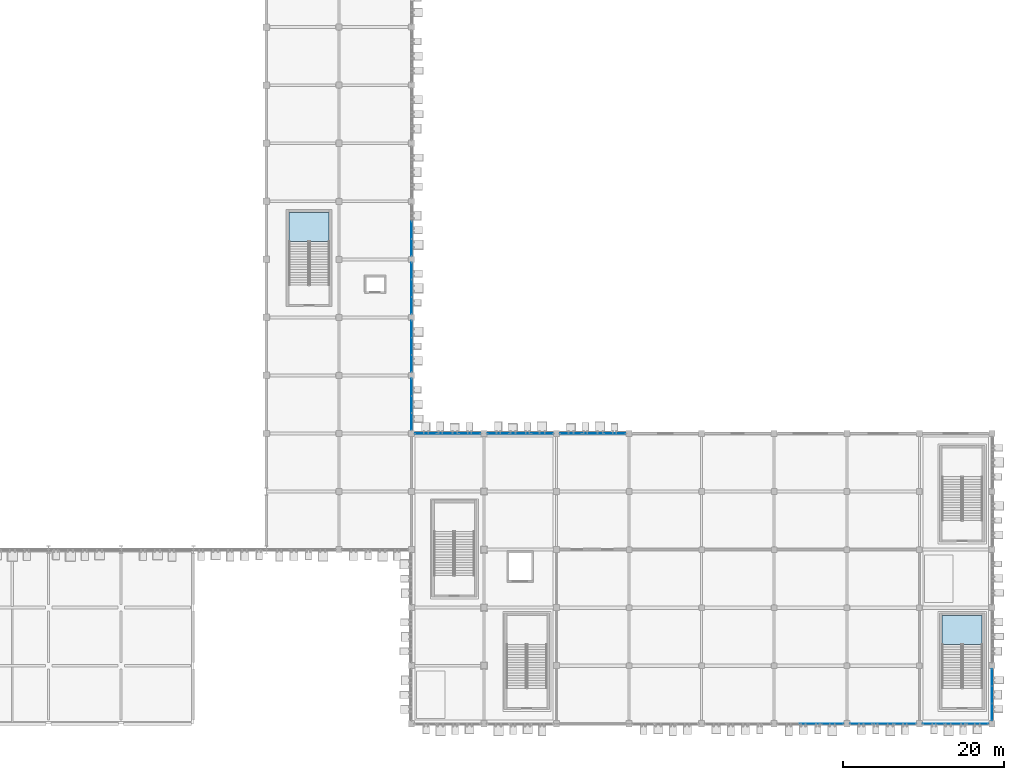
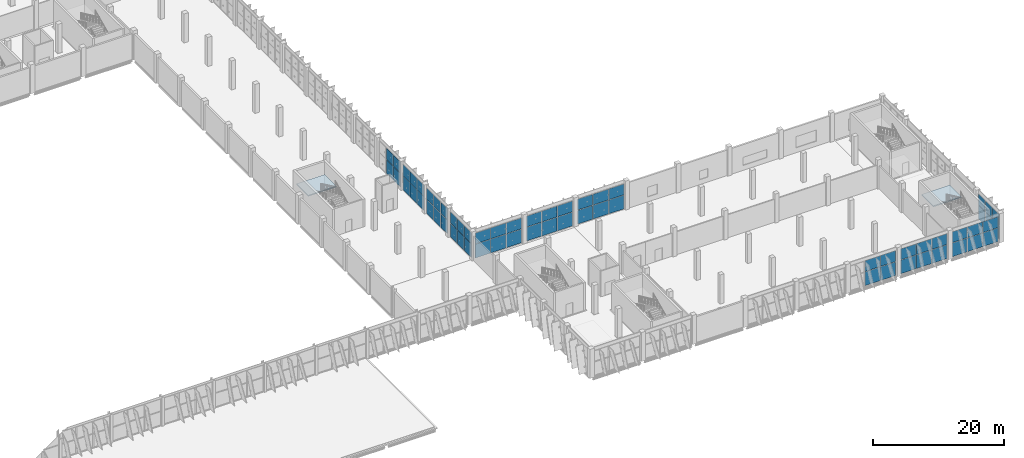
# One storey, part 116 of 189: 62 plates, 2 slabs, 13 elements without a shape of their own.
"""IFC4 building model written with IfcOpenShell, lengths in metres."""

from ifc_helpers import new_model, si_unit, direction, frame, origin, origin_2d, place, context, subcontext, project, spatial, polyline, rectangle, outline, extrude, material, layer, layer_set, type_object, element, aggregate, save


model = new_model("IFC4")

# Units and contexts
model_context = context("Model", 3, precision=1e-05, world=origin(), true_north=direction((0.0, 1.0)))
body_context = subcontext(model_context, "Body", "Model", "MODEL_VIEW")
ifc_project = project(units=[si_unit("LENGTHUNIT", "METRE"), si_unit("AREAUNIT", "SQUARE_METRE"), si_unit("VOLUMEUNIT", "CUBIC_METRE"), si_unit("PLANEANGLEUNIT", "RADIAN"), si_unit("MASSUNIT", "GRAM", prefix="KILO")], contexts=[model_context])

# Site, building, storey
site_placement = place(None, origin())
site = spatial("IfcSite", under=ifc_project, at=site_placement, CompositionType="ELEMENT")
building_placement = place(site_placement, origin())
building = spatial("IfcBuilding", under=site, at=building_placement, Name="Celestram Park Convention Centre", CompositionType="ELEMENT")
storey_placement = place(building_placement, frame((0.0, 0.0, 5.39990234375)))
storey = spatial("IfcBuildingStorey", under=building, at=storey_placement, Name="L01", CompositionType="ELEMENT", Elevation=5.39990234375)

# Curtain wall, plates
ifc_material_1 = material(Name="Anodised Aluminium Alloy 6063-T6", Category="aluminium")
ifc_layer_1 = layer(ifc_material_1, 0.179931640625)
ifc_layer_set_1 = layer_set([ifc_layer_1], Name="Anodised Aluminium Alloy 6063-T6")
curtain_wall_type_1 = type_object("IfcCurtainWallType", Name="ARC-CW-645X482", PredefinedType="NOTDEFINED", material=ifc_layer_set_1)
curtain_wall_1_placement = place(storey_placement, origin())
curtain_wall_1 = element("IfcCurtainWall", 1, at=curtain_wall_1_placement, inside=storey, type_object=curtain_wall_type_1, Name="Unitised curtain wall CU-L01-094", PredefinedType="NOTDEFINED")
ifc_material_2 = material(Name="Insulated Glazing Unit 28 mm", Category="glass")
ifc_layer_2 = layer(ifc_material_2, 0.028076171875)
ifc_layer_set_2 = layer_set([ifc_layer_2], Name="Insulated Glazing Unit 28 mm")
plate_type_1 = type_object("IfcPlateType", Name="ARC-CWP-IGU28", PredefinedType="CURTAIN_PANEL", material=ifc_layer_set_2)
plate_1_placement = place(storey_placement, frame((144.0, 61.199951171875, 0.06005859375), z_axis=(0.0, 0.0, 1.0), x_axis=(0.0, -1.0, 0.0)))
plate_1 = element("IfcPlate", 2, at=plate_1_placement, type_object=plate_type_1, Name="CW-64X48 panel 2.1", PredefinedType="CURTAIN_PANEL", context=body_context, shape_type="SweptSolid", body=[
    extrude(rectangle(XDim=2.08642578125, YDim=0.028076171875, at=origin_2d()), origin(), (0.0, 0.0, 1.0), 2.56005859375),
])
plate_2_placement = place(storey_placement, frame((144.0, 61.199951171875, 2.68017578125), z_axis=(0.0, 0.0, 1.0), x_axis=(0.0, -1.0, 0.0)))
plate_2 = element("IfcPlate", 3, at=plate_2_placement, type_object=plate_type_1, Name="CW-64X48 panel 2.2", PredefinedType="CURTAIN_PANEL", context=body_context, shape_type="SweptSolid", body=[
    extrude(rectangle(XDim=2.08642578125, YDim=0.028076171875, at=origin_2d()), origin(), (0.0, 0.0, 1.0), 2.080078125),
])
plate_3_placement = place(storey_placement, frame((144.0, 59.06494140625, 0.06005859375), z_axis=(0.0, 0.0, 1.0), x_axis=(0.0, -1.0, 0.0)))
plate_3 = element("IfcPlate", 4, at=plate_3_placement, type_object=plate_type_1, Name="CW-64X48 panel 3.1", PredefinedType="CURTAIN_PANEL", context=body_context, shape_type="SweptSolid", body=[
    extrude(rectangle(XDim=2.053955078125, YDim=0.028076171875, at=origin_2d()), origin(), (0.0, 0.0, 1.0), 2.56005859375),
])
plate_4_placement = place(storey_placement, frame((144.0, 59.06494140625, 2.68017578125), z_axis=(0.0, 0.0, 1.0), x_axis=(0.0, -1.0, 0.0)))
plate_4 = element("IfcPlate", 5, at=plate_4_placement, type_object=plate_type_1, Name="CW-64X48 panel 3.2", PredefinedType="CURTAIN_PANEL", context=body_context, shape_type="SweptSolid", body=[
    extrude(rectangle(XDim=2.053955078125, YDim=0.028076171875, at=origin_2d()), origin(), (0.0, 0.0, 1.0), 2.080078125),
])
aggregate(curtain_wall_1, [plate_1, plate_2, plate_3, plate_4])

curtain_wall_2_placement = place(storey_placement, origin())
curtain_wall_2 = element("IfcCurtainWall", 6, at=curtain_wall_2_placement, inside=storey, type_object=curtain_wall_type_1, Name="Unitised curtain wall CU-L01-095", PredefinedType="NOTDEFINED")
plate_5_placement = place(storey_placement, frame((144.0, 56.135009765625, 0.06005859375), z_axis=(0.0, 0.0, 1.0), x_axis=(0.0, -1.0, 0.0)))
plate_5 = element("IfcPlate", 7, at=plate_5_placement, type_object=plate_type_1, Name="CW-64X48 panel 1.1", PredefinedType="CURTAIN_PANEL", context=body_context, shape_type="SweptSolid", body=[
    extrude(rectangle(XDim=2.053955078125, YDim=0.028076171875, at=origin_2d()), origin(), (0.0, 0.0, 1.0), 2.56005859375),
])
plate_6_placement = place(storey_placement, frame((144.0, 56.135009765625, 2.68017578125), z_axis=(0.0, 0.0, 1.0), x_axis=(0.0, -1.0, 0.0)))
plate_6 = element("IfcPlate", 8, at=plate_6_placement, type_object=plate_type_1, Name="CW-64X48 panel 1.2", PredefinedType="CURTAIN_PANEL", context=body_context, shape_type="SweptSolid", body=[
    extrude(rectangle(XDim=2.053955078125, YDim=0.028076171875, at=origin_2d()), origin(), (0.0, 0.0, 1.0), 2.080078125),
])
plate_7_placement = place(storey_placement, frame((144.0, 54.0, 0.06005859375), z_axis=(0.0, 0.0, 1.0), x_axis=(0.0, -1.0, 0.0)))
plate_7 = element("IfcPlate", 9, at=plate_7_placement, type_object=plate_type_1, Name="CW-64X48 panel 2.1", PredefinedType="CURTAIN_PANEL", context=body_context, shape_type="SweptSolid", body=[
    extrude(rectangle(XDim=2.08642578125, YDim=0.028076171875, at=origin_2d()), origin(), (0.0, 0.0, 1.0), 2.56005859375),
])
plate_8_placement = place(storey_placement, frame((144.0, 54.0, 2.68017578125), z_axis=(0.0, 0.0, 1.0), x_axis=(0.0, -1.0, 0.0)))
plate_8 = element("IfcPlate", 10, at=plate_8_placement, type_object=plate_type_1, Name="CW-64X48 panel 2.2", PredefinedType="CURTAIN_PANEL", context=body_context, shape_type="SweptSolid", body=[
    extrude(rectangle(XDim=2.08642578125, YDim=0.028076171875, at=origin_2d()), origin(), (0.0, 0.0, 1.0), 2.080078125),
])
plate_9_placement = place(storey_placement, frame((144.0, 51.864990234375, 0.06005859375), z_axis=(0.0, 0.0, 1.0), x_axis=(0.0, -1.0, 0.0)))
plate_9 = element("IfcPlate", 11, at=plate_9_placement, type_object=plate_type_1, Name="CW-64X48 panel 3.1", PredefinedType="CURTAIN_PANEL", context=body_context, shape_type="SweptSolid", body=[
    extrude(rectangle(XDim=2.053955078125, YDim=0.028076171875, at=origin_2d()), origin(), (0.0, 0.0, 1.0), 2.56005859375),
])
plate_10_placement = place(storey_placement, frame((144.0, 51.864990234375, 2.68017578125), z_axis=(0.0, 0.0, 1.0), x_axis=(0.0, -1.0, 0.0)))
plate_10 = element("IfcPlate", 12, at=plate_10_placement, type_object=plate_type_1, Name="CW-64X48 panel 3.2", PredefinedType="CURTAIN_PANEL", context=body_context, shape_type="SweptSolid", body=[
    extrude(rectangle(XDim=2.053955078125, YDim=0.028076171875, at=origin_2d()), origin(), (0.0, 0.0, 1.0), 2.080078125),
])
aggregate(curtain_wall_2, [plate_5, plate_6, plate_7, plate_8, plate_9, plate_10])

curtain_wall_3_placement = place(storey_placement, origin())
curtain_wall_3 = element("IfcCurtainWall", 13, at=curtain_wall_3_placement, inside=storey, type_object=curtain_wall_type_1, Name="Unitised curtain wall CU-L01-096", PredefinedType="NOTDEFINED")
plate_11_placement = place(storey_placement, frame((144.0, 48.93505859375, 0.06005859375), z_axis=(0.0, 0.0, 1.0), x_axis=(0.0, -1.0, 0.0)))
plate_11 = element("IfcPlate", 14, at=plate_11_placement, type_object=plate_type_1, Name="CW-64X48 panel 1.1", PredefinedType="CURTAIN_PANEL", context=body_context, shape_type="SweptSolid", body=[
    extrude(rectangle(XDim=2.053955078125, YDim=0.028076171875, at=origin_2d()), origin(), (0.0, 0.0, 1.0), 2.56005859375),
])
plate_12_placement = place(storey_placement, frame((144.0, 48.93505859375, 2.68017578125), z_axis=(0.0, 0.0, 1.0), x_axis=(0.0, -1.0, 0.0)))
plate_12 = element("IfcPlate", 15, at=plate_12_placement, type_object=plate_type_1, Name="CW-64X48 panel 1.2", PredefinedType="CURTAIN_PANEL", context=body_context, shape_type="SweptSolid", body=[
    extrude(rectangle(XDim=2.053955078125, YDim=0.028076171875, at=origin_2d()), origin(), (0.0, 0.0, 1.0), 2.080078125),
])
plate_13_placement = place(storey_placement, frame((144.0, 46.800048828125, 0.06005859375), z_axis=(0.0, 0.0, 1.0), x_axis=(0.0, -1.0, 0.0)))
plate_13 = element("IfcPlate", 16, at=plate_13_placement, type_object=plate_type_1, Name="CW-64X48 panel 2.1", PredefinedType="CURTAIN_PANEL", context=body_context, shape_type="SweptSolid", body=[
    extrude(rectangle(XDim=2.08642578125, YDim=0.028076171875, at=origin_2d()), origin(), (0.0, 0.0, 1.0), 2.56005859375),
])
plate_14_placement = place(storey_placement, frame((144.0, 46.800048828125, 2.68017578125), z_axis=(0.0, 0.0, 1.0), x_axis=(0.0, -1.0, 0.0)))
plate_14 = element("IfcPlate", 17, at=plate_14_placement, type_object=plate_type_1, Name="CW-64X48 panel 2.2", PredefinedType="CURTAIN_PANEL", context=body_context, shape_type="SweptSolid", body=[
    extrude(rectangle(XDim=2.08642578125, YDim=0.028076171875, at=origin_2d()), origin(), (0.0, 0.0, 1.0), 2.080078125),
])
plate_15_placement = place(storey_placement, frame((144.0, 44.664794921875, 0.06005859375), z_axis=(0.0, 0.0, 1.0), x_axis=(0.0, -1.0, 0.0)))
plate_15 = element("IfcPlate", 18, at=plate_15_placement, type_object=plate_type_1, Name="CW-64X48 panel 3.1", PredefinedType="CURTAIN_PANEL", context=body_context, shape_type="SweptSolid", body=[
    extrude(rectangle(XDim=2.053955078125, YDim=0.028076171875, at=origin_2d()), origin(), (0.0, 0.0, 1.0), 2.56005859375),
])
plate_16_placement = place(storey_placement, frame((144.0, 44.664794921875, 2.68017578125), z_axis=(0.0, 0.0, 1.0), x_axis=(0.0, -1.0, 0.0)))
plate_16 = element("IfcPlate", 19, at=plate_16_placement, type_object=plate_type_1, Name="CW-64X48 panel 3.2", PredefinedType="CURTAIN_PANEL", context=body_context, shape_type="SweptSolid", body=[
    extrude(rectangle(XDim=2.053955078125, YDim=0.028076171875, at=origin_2d()), origin(), (0.0, 0.0, 1.0), 2.080078125),
])
aggregate(curtain_wall_3, [plate_11, plate_12, plate_13, plate_14, plate_15, plate_16])

ifc_layer_3 = layer(ifc_material_1, 0.179931640625)
ifc_layer_set_3 = layer_set([ifc_layer_3], Name="Anodised Aluminium Alloy 6063-T6")
curtain_wall_type_2 = type_object("IfcCurtainWallType", Name="ARC-CW-645X476", PredefinedType="NOTDEFINED", material=ifc_layer_set_3)
curtain_wall_4_placement = place(storey_placement, origin())
curtain_wall_4 = element("IfcCurtainWall", 20, at=curtain_wall_4_placement, inside=storey, type_object=curtain_wall_type_2, Name="Unitised curtain wall CU-L01-097", PredefinedType="NOTDEFINED")
plate_17_placement = place(storey_placement, frame((144.0, 41.735107421875, 0.06005859375), z_axis=(0.0, 0.0, 1.0), x_axis=(0.0, -1.0, 0.0)))
plate_17 = element("IfcPlate", 21, at=plate_17_placement, type_object=plate_type_1, Name="CW-64X47 panel 1.1", PredefinedType="CURTAIN_PANEL", context=body_context, shape_type="SweptSolid", body=[
    extrude(rectangle(XDim=2.053955078125, YDim=0.028076171875, at=origin_2d()), origin(), (0.0, 0.0, 1.0), 2.56005859375),
])
plate_18_placement = place(storey_placement, frame((144.0, 41.735107421875, 2.68017578125), z_axis=(0.0, 0.0, 1.0), x_axis=(0.0, -1.0, 0.0)))
plate_18 = element("IfcPlate", 22, at=plate_18_placement, type_object=plate_type_1, Name="CW-64X47 panel 1.2", PredefinedType="CURTAIN_PANEL", context=body_context, shape_type="SweptSolid", body=[
    extrude(rectangle(XDim=2.053955078125, YDim=0.028076171875, at=origin_2d()), origin(), (0.0, 0.0, 1.0), 2.02392578125),
])
plate_19_placement = place(storey_placement, frame((144.0, 39.60009765625, 0.06005859375), z_axis=(0.0, 0.0, 1.0), x_axis=(0.0, -1.0, 0.0)))
plate_19 = element("IfcPlate", 23, at=plate_19_placement, type_object=plate_type_1, Name="CW-64X47 panel 2.1", PredefinedType="CURTAIN_PANEL", context=body_context, shape_type="SweptSolid", body=[
    extrude(rectangle(XDim=2.08642578125, YDim=0.028076171875, at=origin_2d()), origin(), (0.0, 0.0, 1.0), 2.56005859375),
])
plate_20_placement = place(storey_placement, frame((144.0, 39.60009765625, 2.68017578125), z_axis=(0.0, 0.0, 1.0), x_axis=(0.0, -1.0, 0.0)))
plate_20 = element("IfcPlate", 24, at=plate_20_placement, type_object=plate_type_1, Name="CW-64X47 panel 2.2", PredefinedType="CURTAIN_PANEL", context=body_context, shape_type="SweptSolid", body=[
    extrude(rectangle(XDim=2.08642578125, YDim=0.028076171875, at=origin_2d()), origin(), (0.0, 0.0, 1.0), 2.02392578125),
])
plate_21_placement = place(storey_placement, frame((144.0, 37.46484375, 0.06005859375), z_axis=(0.0, 0.0, 1.0), x_axis=(0.0, -1.0, 0.0)))
plate_21 = element("IfcPlate", 25, at=plate_21_placement, type_object=plate_type_1, Name="CW-64X47 panel 3.1", PredefinedType="CURTAIN_PANEL", context=body_context, shape_type="SweptSolid", body=[
    extrude(rectangle(XDim=2.053955078125, YDim=0.028076171875, at=origin_2d()), origin(), (0.0, 0.0, 1.0), 2.56005859375),
])
plate_22_placement = place(storey_placement, frame((144.0, 37.46484375, 2.68017578125), z_axis=(0.0, 0.0, 1.0), x_axis=(0.0, -1.0, 0.0)))
plate_22 = element("IfcPlate", 26, at=plate_22_placement, type_object=plate_type_1, Name="CW-64X47 panel 3.2", PredefinedType="CURTAIN_PANEL", context=body_context, shape_type="SweptSolid", body=[
    extrude(rectangle(XDim=2.053955078125, YDim=0.028076171875, at=origin_2d()), origin(), (0.0, 0.0, 1.0), 2.02392578125),
])
aggregate(curtain_wall_4, [plate_17, plate_18, plate_19, plate_20, plate_21, plate_22])

curtain_wall_5_placement = place(storey_placement, origin())
curtain_wall_5 = element("IfcCurtainWall", 27, at=curtain_wall_5_placement, inside=storey, type_object=curtain_wall_type_2, Name="Unitised curtain wall CU-L01-105", PredefinedType="NOTDEFINED")
plate_23_placement = place(storey_placement, frame((216.0, 5.735107421875, 0.06005859375), z_axis=(0.0, 0.0, 1.0), x_axis=(0.0, -1.0, 0.0)))
plate_23 = element("IfcPlate", 28, at=plate_23_placement, type_object=plate_type_1, Name="CW-64X47 panel 1.1", PredefinedType="CURTAIN_PANEL", context=body_context, shape_type="SweptSolid", body=[
    extrude(rectangle(XDim=2.053955078125, YDim=0.028076171875, at=origin_2d()), origin(), (0.0, 0.0, 1.0), 2.56005859375),
])
plate_24_placement = place(storey_placement, frame((216.0, 5.735107421875, 2.68017578125), z_axis=(0.0, 0.0, 1.0), x_axis=(0.0, -1.0, 0.0)))
plate_24 = element("IfcPlate", 29, at=plate_24_placement, type_object=plate_type_1, Name="CW-64X47 panel 1.2", PredefinedType="CURTAIN_PANEL", context=body_context, shape_type="SweptSolid", body=[
    extrude(rectangle(XDim=2.053955078125, YDim=0.028076171875, at=origin_2d()), origin(), (0.0, 0.0, 1.0), 2.02392578125),
])
plate_25_placement = place(storey_placement, frame((216.0, 3.60009765625, 0.06005859375), z_axis=(0.0, 0.0, 1.0), x_axis=(0.0, -1.0, 0.0)))
plate_25 = element("IfcPlate", 30, at=plate_25_placement, type_object=plate_type_1, Name="CW-64X47 panel 2.1", PredefinedType="CURTAIN_PANEL", context=body_context, shape_type="SweptSolid", body=[
    extrude(rectangle(XDim=2.08642578125, YDim=0.028076171875, at=origin_2d()), origin(), (0.0, 0.0, 1.0), 2.56005859375),
])
plate_26_placement = place(storey_placement, frame((216.0, 3.60009765625, 2.68017578125), z_axis=(0.0, 0.0, 1.0), x_axis=(0.0, -1.0, 0.0)))
plate_26 = element("IfcPlate", 31, at=plate_26_placement, type_object=plate_type_1, Name="CW-64X47 panel 2.2", PredefinedType="CURTAIN_PANEL", context=body_context, shape_type="SweptSolid", body=[
    extrude(rectangle(XDim=2.08642578125, YDim=0.028076171875, at=origin_2d()), origin(), (0.0, 0.0, 1.0), 2.02392578125),
])
plate_27_placement = place(storey_placement, frame((216.0, 1.46484375, 0.06005859375), z_axis=(0.0, 0.0, 1.0), x_axis=(0.0, -1.0, 0.0)))
plate_27 = element("IfcPlate", 32, at=plate_27_placement, type_object=plate_type_1, Name="CW-64X47 panel 3.1", PredefinedType="CURTAIN_PANEL", context=body_context, shape_type="SweptSolid", body=[
    extrude(rectangle(XDim=2.053955078125, YDim=0.028076171875, at=origin_2d()), origin(), (0.0, 0.0, 1.0), 2.56005859375),
])
plate_28_placement = place(storey_placement, frame((216.0, 1.46484375, 2.68017578125), z_axis=(0.0, 0.0, 1.0), x_axis=(0.0, -1.0, 0.0)))
plate_28 = element("IfcPlate", 33, at=plate_28_placement, type_object=plate_type_1, Name="CW-64X47 panel 3.2", PredefinedType="CURTAIN_PANEL", context=body_context, shape_type="SweptSolid", body=[
    extrude(rectangle(XDim=2.053955078125, YDim=0.028076171875, at=origin_2d()), origin(), (0.0, 0.0, 1.0), 2.02392578125),
])
aggregate(curtain_wall_5, [plate_23, plate_24, plate_25, plate_26, plate_27, plate_28])

ifc_layer_4 = layer(ifc_material_1, 0.179931640625)
ifc_layer_set_4 = layer_set([ifc_layer_4], Name="Anodised Aluminium Alloy 6063-T6")
curtain_wall_type_3 = type_object("IfcCurtainWallType", Name="ARC-CW-825X476", PredefinedType="NOTDEFINED", material=ifc_layer_set_4)
curtain_wall_6_placement = place(storey_placement, origin())
curtain_wall_6 = element("IfcCurtainWall", 34, at=curtain_wall_6_placement, inside=storey, type_object=curtain_wall_type_3, Name="Unitised curtain wall CU-L01-098", PredefinedType="NOTDEFINED")
ifc_material_3 = material(Name="Insulated Glazing Unit 38 mm", Category="glass")
ifc_layer_5 = layer(ifc_material_3, 0.0380859375)
ifc_layer_set_5 = layer_set([ifc_layer_5], Name="Insulated Glazing Unit 38 mm")
plate_type_2 = type_object("IfcPlateType", Name="ARC-CWP-IGU38", PredefinedType="CURTAIN_PANEL", material=ifc_layer_set_5)
plate_29_placement = place(storey_placement, frame((145.767333984375, 36.0, 0.06494140625), z_axis=(0.0, 0.0, 1.0), x_axis=(1.0, 0.0, 0.0)))
plate_29 = element("IfcPlate", 35, at=plate_29_placement, type_object=plate_type_2, Name="CW-82X47 panel 1.1", PredefinedType="CURTAIN_PANEL", context=body_context, shape_type="SweptSolid", body=[
    extrude(rectangle(XDim=2.638916015625, YDim=0.0380859375, at=origin_2d()), origin(), (0.0, 0.0, 1.0), 2.552490234375),
])
plate_30_placement = place(storey_placement, frame((145.767333984375, 36.0, 2.6826171875), z_axis=(0.0, 0.0, 1.0), x_axis=(1.0, 0.0, 0.0)))
plate_30 = element("IfcPlate", 36, at=plate_30_placement, type_object=plate_type_2, Name="CW-82X47 panel 1.2", PredefinedType="CURTAIN_PANEL", context=body_context, shape_type="SweptSolid", body=[
    extrude(rectangle(XDim=2.638916015625, YDim=0.0380859375, at=origin_2d()), origin(), (0.0, 0.0, 1.0), 2.0166015625),
])
plate_31_placement = place(storey_placement, frame((148.5, 36.0, 0.06494140625), z_axis=(0.0, 0.0, 1.0), x_axis=(1.0, 0.0, 0.0)))
plate_31 = element("IfcPlate", 37, at=plate_31_placement, type_object=plate_type_2, Name="CW-82X47 panel 2.1", PredefinedType="CURTAIN_PANEL", context=body_context, shape_type="SweptSolid", body=[
    extrude(rectangle(XDim=2.67626953125, YDim=0.0380859375, at=origin_2d()), origin(), (0.0, 0.0, 1.0), 2.552490234375),
])
plate_32_placement = place(storey_placement, frame((148.5, 36.0, 2.6826171875), z_axis=(0.0, 0.0, 1.0), x_axis=(1.0, 0.0, 0.0)))
plate_32 = element("IfcPlate", 38, at=plate_32_placement, type_object=plate_type_2, Name="CW-82X47 panel 2.2", PredefinedType="CURTAIN_PANEL", context=body_context, shape_type="SweptSolid", body=[
    extrude(rectangle(XDim=2.67626953125, YDim=0.0380859375, at=origin_2d()), origin(), (0.0, 0.0, 1.0), 2.0166015625),
])
plate_33_placement = place(storey_placement, frame((151.232666015625, 36.0, 0.06494140625), z_axis=(0.0, 0.0, 1.0), x_axis=(1.0, 0.0, 0.0)))
plate_33 = element("IfcPlate", 39, at=plate_33_placement, type_object=plate_type_2, Name="CW-82X47 panel 3.1", PredefinedType="CURTAIN_PANEL", context=body_context, shape_type="SweptSolid", body=[
    extrude(rectangle(XDim=2.638916015625, YDim=0.0380859375, at=origin_2d()), origin(), (0.0, 0.0, 1.0), 2.552490234375),
])
plate_34_placement = place(storey_placement, frame((151.232666015625, 36.0, 2.6826171875), z_axis=(0.0, 0.0, 1.0), x_axis=(1.0, 0.0, 0.0)))
plate_34 = element("IfcPlate", 40, at=plate_34_placement, type_object=plate_type_2, Name="CW-82X47 panel 3.2", PredefinedType="CURTAIN_PANEL", context=body_context, shape_type="SweptSolid", body=[
    extrude(rectangle(XDim=2.638916015625, YDim=0.0380859375, at=origin_2d()), origin(), (0.0, 0.0, 1.0), 2.0166015625),
])
aggregate(curtain_wall_6, [plate_29, plate_30, plate_31, plate_32, plate_33, plate_34])

curtain_wall_7_placement = place(storey_placement, origin())
curtain_wall_7 = element("IfcCurtainWall", 41, at=curtain_wall_7_placement, inside=storey, type_object=curtain_wall_type_3, Name="Unitised curtain wall CU-L01-099", PredefinedType="NOTDEFINED")
plate_35_placement = place(storey_placement, frame((154.767333984375, 36.0, 0.06494140625), z_axis=(0.0, 0.0, 1.0), x_axis=(1.0, 0.0, 0.0)))
plate_35 = element("IfcPlate", 42, at=plate_35_placement, type_object=plate_type_2, Name="CW-82X47 panel 1.1", PredefinedType="CURTAIN_PANEL", context=body_context, shape_type="SweptSolid", body=[
    extrude(rectangle(XDim=2.638916015625, YDim=0.0380859375, at=origin_2d()), origin(), (0.0, 0.0, 1.0), 2.552490234375),
])
plate_36_placement = place(storey_placement, frame((154.767333984375, 36.0, 2.6826171875), z_axis=(0.0, 0.0, 1.0), x_axis=(1.0, 0.0, 0.0)))
plate_36 = element("IfcPlate", 43, at=plate_36_placement, type_object=plate_type_2, Name="CW-82X47 panel 1.2", PredefinedType="CURTAIN_PANEL", context=body_context, shape_type="SweptSolid", body=[
    extrude(rectangle(XDim=2.638916015625, YDim=0.0380859375, at=origin_2d()), origin(), (0.0, 0.0, 1.0), 2.0166015625),
])
plate_37_placement = place(storey_placement, frame((157.5, 36.0, 0.06494140625), z_axis=(0.0, 0.0, 1.0), x_axis=(1.0, 0.0, 0.0)))
plate_37 = element("IfcPlate", 44, at=plate_37_placement, type_object=plate_type_2, Name="CW-82X47 panel 2.1", PredefinedType="CURTAIN_PANEL", context=body_context, shape_type="SweptSolid", body=[
    extrude(rectangle(XDim=2.67626953125, YDim=0.0380859375, at=origin_2d()), origin(), (0.0, 0.0, 1.0), 2.552490234375),
])
plate_38_placement = place(storey_placement, frame((157.5, 36.0, 2.6826171875), z_axis=(0.0, 0.0, 1.0), x_axis=(1.0, 0.0, 0.0)))
plate_38 = element("IfcPlate", 45, at=plate_38_placement, type_object=plate_type_2, Name="CW-82X47 panel 2.2", PredefinedType="CURTAIN_PANEL", context=body_context, shape_type="SweptSolid", body=[
    extrude(rectangle(XDim=2.67626953125, YDim=0.0380859375, at=origin_2d()), origin(), (0.0, 0.0, 1.0), 2.0166015625),
])
plate_39_placement = place(storey_placement, frame((160.232666015625, 36.0, 0.06494140625), z_axis=(0.0, 0.0, 1.0), x_axis=(1.0, 0.0, 0.0)))
plate_39 = element("IfcPlate", 46, at=plate_39_placement, type_object=plate_type_2, Name="CW-82X47 panel 3.1", PredefinedType="CURTAIN_PANEL", context=body_context, shape_type="SweptSolid", body=[
    extrude(rectangle(XDim=2.638916015625, YDim=0.0380859375, at=origin_2d()), origin(), (0.0, 0.0, 1.0), 2.552490234375),
])
plate_40_placement = place(storey_placement, frame((160.232666015625, 36.0, 2.6826171875), z_axis=(0.0, 0.0, 1.0), x_axis=(1.0, 0.0, 0.0)))
plate_40 = element("IfcPlate", 47, at=plate_40_placement, type_object=plate_type_2, Name="CW-82X47 panel 3.2", PredefinedType="CURTAIN_PANEL", context=body_context, shape_type="SweptSolid", body=[
    extrude(rectangle(XDim=2.638916015625, YDim=0.0380859375, at=origin_2d()), origin(), (0.0, 0.0, 1.0), 2.0166015625),
])
aggregate(curtain_wall_7, [plate_35, plate_36, plate_37, plate_38, plate_39, plate_40])

curtain_wall_8_placement = place(storey_placement, origin())
curtain_wall_8 = element("IfcCurtainWall", 48, at=curtain_wall_8_placement, inside=storey, type_object=curtain_wall_type_3, Name="Unitised curtain wall CU-L01-100", PredefinedType="NOTDEFINED")
plate_41_placement = place(storey_placement, frame((163.767333984375, 36.0, 0.06494140625), z_axis=(0.0, 0.0, 1.0), x_axis=(1.0, 0.0, 0.0)))
plate_41 = element("IfcPlate", 49, at=plate_41_placement, type_object=plate_type_2, Name="CW-82X47 panel 1.1", PredefinedType="CURTAIN_PANEL", context=body_context, shape_type="SweptSolid", body=[
    extrude(rectangle(XDim=2.638916015625, YDim=0.0380859375, at=origin_2d()), origin(), (0.0, 0.0, 1.0), 2.552490234375),
])
plate_42_placement = place(storey_placement, frame((163.767333984375, 36.0, 2.6826171875), z_axis=(0.0, 0.0, 1.0), x_axis=(1.0, 0.0, 0.0)))
plate_42 = element("IfcPlate", 50, at=plate_42_placement, type_object=plate_type_2, Name="CW-82X47 panel 1.2", PredefinedType="CURTAIN_PANEL", context=body_context, shape_type="SweptSolid", body=[
    extrude(rectangle(XDim=2.638916015625, YDim=0.0380859375, at=origin_2d()), origin(), (0.0, 0.0, 1.0), 2.0166015625),
])
plate_43_placement = place(storey_placement, frame((166.5, 36.0, 0.06494140625), z_axis=(0.0, 0.0, 1.0), x_axis=(1.0, 0.0, 0.0)))
plate_43 = element("IfcPlate", 51, at=plate_43_placement, type_object=plate_type_2, Name="CW-82X47 panel 2.1", PredefinedType="CURTAIN_PANEL", context=body_context, shape_type="SweptSolid", body=[
    extrude(rectangle(XDim=2.67626953125, YDim=0.0380859375, at=origin_2d()), origin(), (0.0, 0.0, 1.0), 2.552490234375),
])
plate_44_placement = place(storey_placement, frame((166.5, 36.0, 2.6826171875), z_axis=(0.0, 0.0, 1.0), x_axis=(1.0, 0.0, 0.0)))
plate_44 = element("IfcPlate", 52, at=plate_44_placement, type_object=plate_type_2, Name="CW-82X47 panel 2.2", PredefinedType="CURTAIN_PANEL", context=body_context, shape_type="SweptSolid", body=[
    extrude(rectangle(XDim=2.67626953125, YDim=0.0380859375, at=origin_2d()), origin(), (0.0, 0.0, 1.0), 2.0166015625),
])
plate_45_placement = place(storey_placement, frame((169.232666015625, 36.0, 0.06494140625), z_axis=(0.0, 0.0, 1.0), x_axis=(1.0, 0.0, 0.0)))
plate_45 = element("IfcPlate", 53, at=plate_45_placement, type_object=plate_type_2, Name="CW-82X47 panel 3.1", PredefinedType="CURTAIN_PANEL", context=body_context, shape_type="SweptSolid", body=[
    extrude(rectangle(XDim=2.638916015625, YDim=0.0380859375, at=origin_2d()), origin(), (0.0, 0.0, 1.0), 2.552490234375),
])
plate_46_placement = place(storey_placement, frame((169.232666015625, 36.0, 2.6826171875), z_axis=(0.0, 0.0, 1.0), x_axis=(1.0, 0.0, 0.0)))
plate_46 = element("IfcPlate", 54, at=plate_46_placement, type_object=plate_type_2, Name="CW-82X47 panel 3.2", PredefinedType="CURTAIN_PANEL", context=body_context, shape_type="SweptSolid", body=[
    extrude(rectangle(XDim=2.638916015625, YDim=0.0380859375, at=origin_2d()), origin(), (0.0, 0.0, 1.0), 2.0166015625),
])
aggregate(curtain_wall_8, [plate_41, plate_42, plate_43, plate_44, plate_45, plate_46])

curtain_wall_9_placement = place(storey_placement, origin())
curtain_wall_9 = element("IfcCurtainWall", 55, at=curtain_wall_9_placement, inside=storey, type_object=curtain_wall_type_3, Name="Unitised curtain wall CU-L01-106", PredefinedType="NOTDEFINED")
plate_47_placement = place(storey_placement, frame((214.232666015625, 0.0, 0.06494140625), z_axis=(0.0, 0.0, 1.0), x_axis=(-1.0, 0.0, 0.0)))
plate_47 = element("IfcPlate", 56, at=plate_47_placement, type_object=plate_type_2, Name="CW-82X47 panel 1.1", PredefinedType="CURTAIN_PANEL", context=body_context, shape_type="SweptSolid", body=[
    extrude(rectangle(XDim=2.638916015625, YDim=0.0380859375, at=origin_2d()), origin(), (0.0, 0.0, 1.0), 2.552490234375),
])
plate_48_placement = place(storey_placement, frame((214.232666015625, 0.0, 2.6826171875), z_axis=(0.0, 0.0, 1.0), x_axis=(-1.0, 0.0, 0.0)))
plate_48 = element("IfcPlate", 57, at=plate_48_placement, type_object=plate_type_2, Name="CW-82X47 panel 1.2", PredefinedType="CURTAIN_PANEL", context=body_context, shape_type="SweptSolid", body=[
    extrude(rectangle(XDim=2.638916015625, YDim=0.0380859375, at=origin_2d()), origin(), (0.0, 0.0, 1.0), 2.0166015625),
])
plate_49_placement = place(storey_placement, frame((211.5, 0.0, 0.06494140625), z_axis=(0.0, 0.0, 1.0), x_axis=(-1.0, 0.0, 0.0)))
plate_49 = element("IfcPlate", 58, at=plate_49_placement, type_object=plate_type_2, Name="CW-82X47 panel 2.1", PredefinedType="CURTAIN_PANEL", context=body_context, shape_type="SweptSolid", body=[
    extrude(rectangle(XDim=2.67626953125, YDim=0.0380859375, at=origin_2d()), origin(), (0.0, 0.0, 1.0), 2.552490234375),
])
plate_50_placement = place(storey_placement, frame((211.5, 0.0, 2.6826171875), z_axis=(0.0, 0.0, 1.0), x_axis=(-1.0, 0.0, 0.0)))
plate_50 = element("IfcPlate", 59, at=plate_50_placement, type_object=plate_type_2, Name="CW-82X47 panel 2.2", PredefinedType="CURTAIN_PANEL", context=body_context, shape_type="SweptSolid", body=[
    extrude(rectangle(XDim=2.67626953125, YDim=0.0380859375, at=origin_2d()), origin(), (0.0, 0.0, 1.0), 2.0166015625),
])
plate_51_placement = place(storey_placement, frame((208.767333984375, 0.0, 0.06494140625), z_axis=(0.0, 0.0, 1.0), x_axis=(-1.0, 0.0, 0.0)))
plate_51 = element("IfcPlate", 60, at=plate_51_placement, type_object=plate_type_2, Name="CW-82X47 panel 3.1", PredefinedType="CURTAIN_PANEL", context=body_context, shape_type="SweptSolid", body=[
    extrude(rectangle(XDim=2.638916015625, YDim=0.0380859375, at=origin_2d()), origin(), (0.0, 0.0, 1.0), 2.552490234375),
])
plate_52_placement = place(storey_placement, frame((208.767333984375, 0.0, 2.6826171875), z_axis=(0.0, 0.0, 1.0), x_axis=(-1.0, 0.0, 0.0)))
plate_52 = element("IfcPlate", 61, at=plate_52_placement, type_object=plate_type_2, Name="CW-82X47 panel 3.2", PredefinedType="CURTAIN_PANEL", context=body_context, shape_type="SweptSolid", body=[
    extrude(rectangle(XDim=2.638916015625, YDim=0.0380859375, at=origin_2d()), origin(), (0.0, 0.0, 1.0), 2.0166015625),
])
aggregate(curtain_wall_9, [plate_47, plate_48, plate_49, plate_50, plate_51, plate_52])

curtain_wall_10_placement = place(storey_placement, origin())
curtain_wall_10 = element("IfcCurtainWall", 62, at=curtain_wall_10_placement, inside=storey, type_object=curtain_wall_type_3, Name="Unitised curtain wall CU-L01-107", PredefinedType="NOTDEFINED")
plate_53_placement = place(storey_placement, frame((205.232666015625, 0.0, 0.06494140625), z_axis=(0.0, 0.0, 1.0), x_axis=(-1.0, 0.0, 0.0)))
plate_53 = element("IfcPlate", 63, at=plate_53_placement, type_object=plate_type_2, Name="CW-82X47 panel 1.1", PredefinedType="CURTAIN_PANEL", context=body_context, shape_type="SweptSolid", body=[
    extrude(rectangle(XDim=2.638916015625, YDim=0.0380859375, at=origin_2d()), origin(), (0.0, 0.0, 1.0), 2.552490234375),
])
plate_54_placement = place(storey_placement, frame((205.232666015625, 0.0, 2.6826171875), z_axis=(0.0, 0.0, 1.0), x_axis=(-1.0, 0.0, 0.0)))
plate_54 = element("IfcPlate", 64, at=plate_54_placement, type_object=plate_type_2, Name="CW-82X47 panel 1.2", PredefinedType="CURTAIN_PANEL", context=body_context, shape_type="SweptSolid", body=[
    extrude(rectangle(XDim=2.638916015625, YDim=0.0380859375, at=origin_2d()), origin(), (0.0, 0.0, 1.0), 2.0166015625),
])
plate_55_placement = place(storey_placement, frame((202.5, 0.0, 0.06494140625), z_axis=(0.0, 0.0, 1.0), x_axis=(-1.0, 0.0, 0.0)))
plate_55 = element("IfcPlate", 65, at=plate_55_placement, type_object=plate_type_2, Name="CW-82X47 panel 2.1", PredefinedType="CURTAIN_PANEL", context=body_context, shape_type="SweptSolid", body=[
    extrude(rectangle(XDim=2.67626953125, YDim=0.0380859375, at=origin_2d()), origin(), (0.0, 0.0, 1.0), 2.552490234375),
])
plate_56_placement = place(storey_placement, frame((202.5, 0.0, 2.6826171875), z_axis=(0.0, 0.0, 1.0), x_axis=(-1.0, 0.0, 0.0)))
plate_56 = element("IfcPlate", 66, at=plate_56_placement, type_object=plate_type_2, Name="CW-82X47 panel 2.2", PredefinedType="CURTAIN_PANEL", context=body_context, shape_type="SweptSolid", body=[
    extrude(rectangle(XDim=2.67626953125, YDim=0.0380859375, at=origin_2d()), origin(), (0.0, 0.0, 1.0), 2.0166015625),
])
plate_57_placement = place(storey_placement, frame((199.767333984375, 0.0, 0.06494140625), z_axis=(0.0, 0.0, 1.0), x_axis=(-1.0, 0.0, 0.0)))
plate_57 = element("IfcPlate", 67, at=plate_57_placement, type_object=plate_type_2, Name="CW-82X47 panel 3.1", PredefinedType="CURTAIN_PANEL", context=body_context, shape_type="SweptSolid", body=[
    extrude(rectangle(XDim=2.638916015625, YDim=0.0380859375, at=origin_2d()), origin(), (0.0, 0.0, 1.0), 2.552490234375),
])
plate_58_placement = place(storey_placement, frame((199.767333984375, 0.0, 2.6826171875), z_axis=(0.0, 0.0, 1.0), x_axis=(-1.0, 0.0, 0.0)))
plate_58 = element("IfcPlate", 68, at=plate_58_placement, type_object=plate_type_2, Name="CW-82X47 panel 3.2", PredefinedType="CURTAIN_PANEL", context=body_context, shape_type="SweptSolid", body=[
    extrude(rectangle(XDim=2.638916015625, YDim=0.0380859375, at=origin_2d()), origin(), (0.0, 0.0, 1.0), 2.0166015625),
])
aggregate(curtain_wall_10, [plate_53, plate_54, plate_55, plate_56, plate_57, plate_58])

curtain_wall_11_placement = place(storey_placement, origin())
curtain_wall_11 = element("IfcCurtainWall", 69, at=curtain_wall_11_placement, inside=storey, type_object=curtain_wall_type_3, Name="Unitised curtain wall CU-L01-108", PredefinedType="NOTDEFINED")
plate_59_placement = place(storey_placement, frame((196.232666015625, 0.0, 0.06494140625), z_axis=(0.0, 0.0, 1.0), x_axis=(-1.0, 0.0, 0.0)))
plate_59 = element("IfcPlate", 70, at=plate_59_placement, type_object=plate_type_2, Name="CW-82X47 panel 1.1", PredefinedType="CURTAIN_PANEL", context=body_context, shape_type="SweptSolid", body=[
    extrude(rectangle(XDim=2.638916015625, YDim=0.0380859375, at=origin_2d()), origin(), (0.0, 0.0, 1.0), 2.552490234375),
])
plate_60_placement = place(storey_placement, frame((196.232666015625, 0.0, 2.6826171875), z_axis=(0.0, 0.0, 1.0), x_axis=(-1.0, 0.0, 0.0)))
plate_60 = element("IfcPlate", 71, at=plate_60_placement, type_object=plate_type_2, Name="CW-82X47 panel 1.2", PredefinedType="CURTAIN_PANEL", context=body_context, shape_type="SweptSolid", body=[
    extrude(rectangle(XDim=2.638916015625, YDim=0.0380859375, at=origin_2d()), origin(), (0.0, 0.0, 1.0), 2.0166015625),
])
plate_61_placement = place(storey_placement, frame((193.5, 0.0, 0.06494140625), z_axis=(0.0, 0.0, 1.0), x_axis=(-1.0, 0.0, 0.0)))
plate_61 = element("IfcPlate", 72, at=plate_61_placement, type_object=plate_type_2, Name="CW-82X47 panel 2.1", PredefinedType="CURTAIN_PANEL", context=body_context, shape_type="SweptSolid", body=[
    extrude(rectangle(XDim=2.67626953125, YDim=0.0380859375, at=origin_2d()), origin(), (0.0, 0.0, 1.0), 2.552490234375),
])
plate_62_placement = place(storey_placement, frame((193.5, 0.0, 2.6826171875), z_axis=(0.0, 0.0, 1.0), x_axis=(-1.0, 0.0, 0.0)))
plate_62 = element("IfcPlate", 73, at=plate_62_placement, type_object=plate_type_2, Name="CW-82X47 panel 2.2", PredefinedType="CURTAIN_PANEL", context=body_context, shape_type="SweptSolid", body=[
    extrude(rectangle(XDim=2.67626953125, YDim=0.0380859375, at=origin_2d()), origin(), (0.0, 0.0, 1.0), 2.0166015625),
])
aggregate(curtain_wall_11, [plate_59, plate_60, plate_61, plate_62])

# Stair, slab
ifc_material_4 = material(Name="Precast Concrete C40/50", Category="concrete")
stair_type = type_object("IfcStairType", Name="ARC-STR-DOG54", PredefinedType="HALF_TURN_STAIR", material=ifc_material_4)
stair_1_placement = place(storey_placement, origin())
stair_1 = element("IfcStair", 74, at=stair_1_placement, inside=storey, type_object=stair_type, Name="L01 Core C4 stair ST-04", PredefinedType="HALF_TURN_STAIR")
ifc_material_5 = material(Name="Concrete C35/45", Category="concrete")
ifc_layer_6 = layer(ifc_material_5, 0.199951171875)
ifc_layer_set_6 = layer_set([ifc_layer_6], Name="Concrete C35/45")
slab_type = type_object("IfcSlabType", Name="STR-SLB-LND200", PredefinedType="LANDING", material=ifc_layer_set_6)
slab_1_placement = place(storey_placement, frame((0.0, 0.0, 2.5)))
slab_1 = element("IfcSlab", 75, at=slab_1_placement, type_object=slab_type, Name="ST-04 landing 1", PredefinedType="LANDING", context=body_context, shape_type="SweptSolid", body=[
    extrude(outline(polyline([(133.800048828125, 59.833984375), (133.800048828125, 63.39990234375), (128.840087890625, 63.39990234375), (128.840087890625, 59.833984375), (133.800048828125, 59.833984375)])), origin(), (0.0, 0.0, 1.0), 0.2001953125),
])
aggregate(stair_1, [slab_1])

stair_2_placement = place(storey_placement, origin())
stair_2 = element("IfcStair", 76, at=stair_2_placement, inside=storey, type_object=stair_type, Name="L01 Core S11 stair ST-11", PredefinedType="HALF_TURN_STAIR")
slab_2_placement = place(storey_placement, frame((0.0, 0.0, 2.5)))
slab_2 = element("IfcSlab", 77, at=slab_2_placement, type_object=slab_type, Name="ST-11 landing 1", PredefinedType="LANDING", context=body_context, shape_type="SweptSolid", body=[
    extrude(outline(polyline([(214.800048828125, 9.833984375), (214.800048828125, 13.39990234375), (209.840087890625, 13.39990234375), (209.840087890625, 9.833984375), (214.800048828125, 9.833984375)])), origin(), (0.0, 0.0, 1.0), 0.2001953125),
])
aggregate(stair_2, [slab_2])

save(model, "model.ifc")
